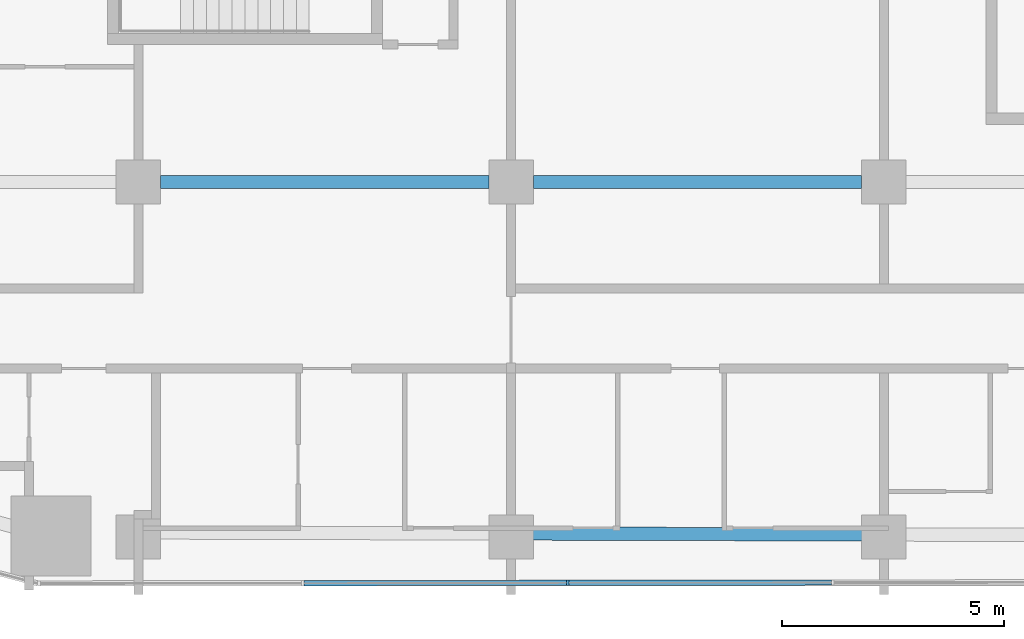
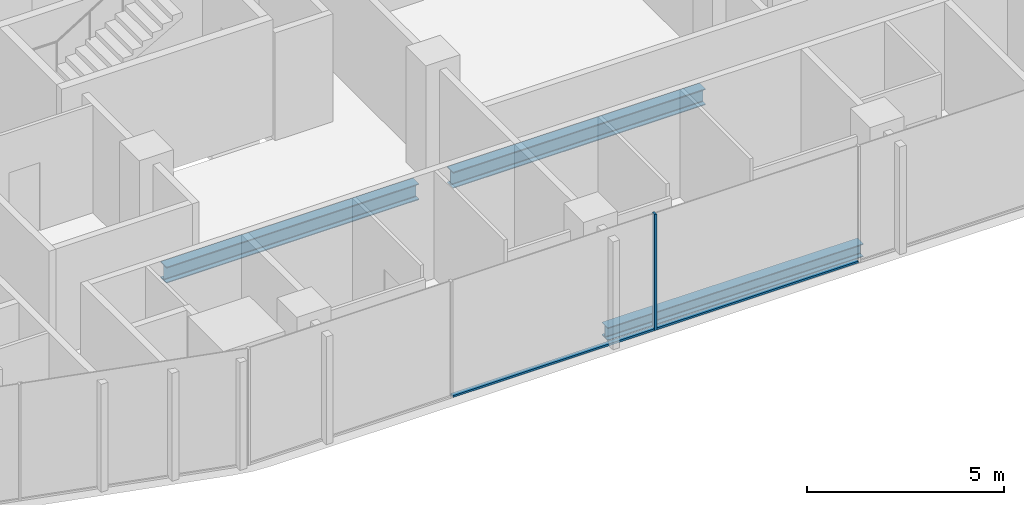
# One storey, part 3 of 26: 3 beams, 3 members, 1 element without a shape of its own.
"""IFC4 building model written with IfcOpenShell, lengths in metres."""

from ifc_helpers import new_model, si_unit, direction, frame, origin, origin_2d, place, context, subcontext, project, spatial, rectangle, i_section, extrude, material, layer, layer_set, material_profile, profile_set, type_object, element, aggregate, save


model = new_model("IFC4")

# Units and contexts
model_context = context("Model", 3, precision=1e-05, world=origin(), true_north=direction((0.0, 1.0)))
body_context = subcontext(model_context, "Body", "Model", "MODEL_VIEW")
ifc_project = project(units=[si_unit("LENGTHUNIT", "METRE"), si_unit("AREAUNIT", "SQUARE_METRE"), si_unit("VOLUMEUNIT", "CUBIC_METRE"), si_unit("PLANEANGLEUNIT", "RADIAN"), si_unit("MASSUNIT", "GRAM", prefix="KILO")], contexts=[model_context])

# Site, building, storey
site_placement = place(None, origin())
site = spatial("IfcSite", under=ifc_project, at=site_placement, CompositionType="ELEMENT")
building_placement = place(site_placement, origin())
building = spatial("IfcBuilding", under=site, at=building_placement, Name="Marenta Gate Hotel Tower", CompositionType="ELEMENT")
storey_placement = place(building_placement, frame((0.0, 0.0, 72.5)))
storey = spatial("IfcBuildingStorey", under=building, at=storey_placement, Name="L16", CompositionType="ELEMENT", Elevation=72.5)

# Beams
ifc_material_1 = material(Name="Steel S355", Category="steel")
ifc_material_profile_1 = material_profile(ifc_material_1, i_section(OverallWidth=0.300048828125, OverallDepth=0.39990234375, WebThickness=0.013427734375, FlangeThickness=0.02392578125, FilletRadius=0.027099609375, at=origin_2d()), Name="HEB 400")
ifc_profile_set_1 = profile_set([ifc_material_profile_1], Name="Steel S355")
beam_type_1 = type_object("IfcBeamType", Name="Edge beam HEB 400", PredefinedType="SPANDREL", material=ifc_profile_set_1)
beam_1_placement = place(storey_placement, frame((3.739990234375, -16.3427734375, -0.4599609375), z_axis=(-0.99999624158, 0.002741683018, 0.0), x_axis=(-0.002741683018, -0.99999624158, 0.0)))
element("IfcBeam", 1, at=beam_1_placement, inside=storey, type_object=beam_type_1, Name="L16-EB-33", PredefinedType="SPANDREL", context=body_context, shape_type="SweptSolid", body=[
    extrude(i_section(OverallWidth=0.300048828125, OverallDepth=0.39990234375, WebThickness=0.013427734375, FlangeThickness=0.02392578125, FilletRadius=0.027099609375, at=origin_2d()), origin(), (0.0, 0.0, 1.0), 7.47998046875),
])
ifc_material_2 = material(Name="Steel S355", Category="steel")
ifc_material_profile_2 = material_profile(ifc_material_2, i_section(OverallWidth=0.300048828125, OverallDepth=0.5, WebThickness=0.014404296875, FlangeThickness=0.028076171875, FilletRadius=0.027099609375, at=origin_2d()), Name="HEB 500")
ifc_profile_set_2 = profile_set([ifc_material_profile_2], Name="Steel S355")
beam_type_2 = type_object("IfcBeamType", Name="Girder HEB 500", PredefinedType="BEAM", material=ifc_profile_set_2)
beam_2_placement = place(storey_placement, frame((-12.10009765625, -8.39990234375, -0.510009765625), z_axis=(1.0, 0.0, 0.0), x_axis=(0.0, 1.0, 0.0)))
element("IfcBeam", 2, at=beam_2_placement, inside=storey, type_object=beam_type_2, Name="L16-GD-3", PredefinedType="BEAM", context=body_context, shape_type="SweptSolid", body=[
    extrude(i_section(OverallWidth=0.300048828125, OverallDepth=0.5, WebThickness=0.014404296875, FlangeThickness=0.028076171875, FilletRadius=0.027099609375, at=origin_2d()), origin(), (0.0, 0.0, 1.0), 7.400146484375),
])
beam_3_placement = place(storey_placement, frame((-3.699951171875, -8.39990234375, -0.510009765625), z_axis=(1.0, 0.0, 0.0), x_axis=(0.0, 1.0, 0.0)))
element("IfcBeam", 3, at=beam_3_placement, inside=storey, type_object=beam_type_2, Name="L16-GD-4", PredefinedType="BEAM", context=body_context, shape_type="SweptSolid", body=[
    extrude(i_section(OverallWidth=0.300048828125, OverallDepth=0.5, WebThickness=0.014404296875, FlangeThickness=0.028076171875, FilletRadius=0.027099609375, at=origin_2d()), origin(), (0.0, 0.0, 1.0), 7.39990234375),
])

# Curtain wall, members
ifc_material_3 = material(Name="Tinted insulated glass in bronze anodised frame", Category="glass")
ifc_layer = layer(ifc_material_3, 0.1201171875)
ifc_layer_set = layer_set([ifc_layer], Name="Tinted insulated glass in bronze anodised frame")
curtain_wall_type = type_object("IfcCurtainWallType", Name="Tower unitised curtain wall CW1", PredefinedType="NOTDEFINED", material=ifc_layer_set)
curtain_wall_placement = place(storey_placement, origin())
curtain_wall = element("IfcCurtainWall", 4, at=curtain_wall_placement, inside=storey, type_object=curtain_wall_type, Name="CW1 run G07", PredefinedType="NOTDEFINED")
ifc_material_4 = material(Name="Bronze anodised aluminium", Category="aluminium")
ifc_material_profile_3 = material_profile(ifc_material_4, rectangle(XDim=0.1201171875, YDim=0.06005859375, at=origin_2d()), Name="Mullion CW1 60x120 bronze anodised aluminium")
ifc_profile_set_3 = profile_set([ifc_material_profile_3], Name="Bronze anodised aluminium")
member_type_1 = type_object("IfcMemberType", Name="Mullion CW1 60x120 bronze anodised aluminium", PredefinedType="MULLION", material=ifc_profile_set_3)
member_1_placement = place(storey_placement, frame((-2.9248046875, -17.433837890625, 0.0), z_axis=(0.0, 0.0, 1.0), x_axis=(-0.001161921639, 0.999999324969, 0.0)))
member_1 = element("IfcMember", 5, at=member_1_placement, type_object=member_type_1, Name="CW1 mullion 3", PredefinedType="MULLION", context=body_context, shape_type="SweptSolid", body=[
    extrude(rectangle(XDim=0.1201171875, YDim=0.06005859375, at=origin_2d()), origin(), (0.0, 0.0, 1.0), 3.60009765625),
])
ifc_material_5 = material(Name="Bronze anodised aluminium", Category="aluminium")
ifc_material_profile_4 = material_profile(ifc_material_5, rectangle(XDim=0.1201171875, YDim=0.06005859375, at=origin_2d()), Name="Transom CW1 60x120 bronze anodised aluminium")
ifc_profile_set_4 = profile_set([ifc_material_profile_4], Name="Bronze anodised aluminium")
member_type_2 = type_object("IfcMemberType", Name="Transom CW1 60x120 bronze anodised aluminium", PredefinedType="USERDEFINED", material=ifc_profile_set_4)
member_2_placement = place(storey_placement, frame((-8.86767578125, -17.44091796875, 0.030029296875), z_axis=(0.999999283109, 0.001197406136, 0.0), x_axis=(-0.001197406136, 0.999999283109, 0.0)))
member_2 = element("IfcMember", 6, at=member_2_placement, type_object=member_type_2, Name="CW1 transom 2.1", ObjectType="TRANSOM", PredefinedType="USERDEFINED", context=body_context, shape_type="SweptSolid", body=[
    extrude(rectangle(XDim=0.1201171875, YDim=0.06005859375, at=origin_2d()), origin(), (0.0, 0.0, 1.0), 5.912841796875),
])
member_3_placement = place(storey_placement, frame((-2.894775390625, -17.433837890625, 0.030029296875), z_axis=(0.999999331697, 0.001156116326, 0.0), x_axis=(-0.001156116326, 0.999999331697, 0.0)))
member_3 = element("IfcMember", 7, at=member_3_placement, type_object=member_type_2, Name="CW1 transom 3.1", ObjectType="TRANSOM", PredefinedType="USERDEFINED", context=body_context, shape_type="SweptSolid", body=[
    extrude(rectangle(XDim=0.1201171875, YDim=0.06005859375, at=origin_2d()), origin(), (0.0, 0.0, 1.0), 5.912841796875),
])
aggregate(curtain_wall, [member_1, member_2, member_3])

save(model, "model.ifc")
